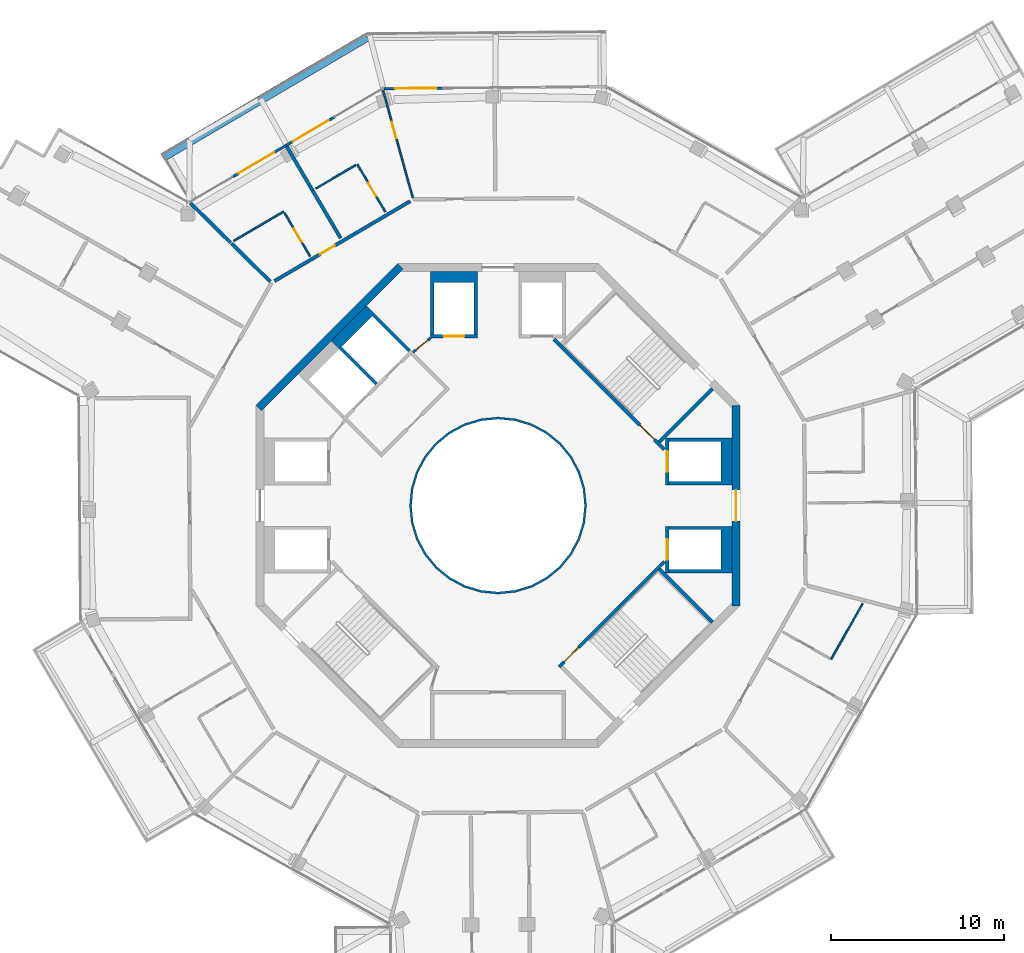
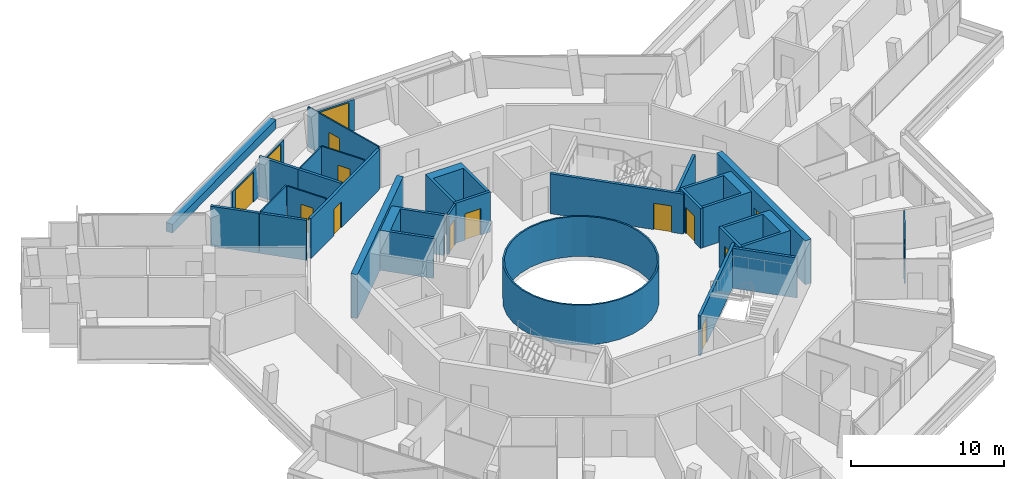
# One storey, part 21 of 26: 30 walls, 14 doors, 14 openings.
"""IFC4 building model written with IfcOpenShell, lengths in metres."""

from ifc_helpers import new_model, si_unit, direction, frame, frame_2d, origin, place, context, subcontext, project, spatial, polyline, rectangle, outline, extrude, material, layer, layer_set, type_object, element, fill, save


model = new_model("IFC4")

# Units and contexts
model_context = context("Model", 3, precision=1e-05, world=origin(), true_north=direction((0.0, 1.0)))
body_context = subcontext(model_context, "Body", "Model", "MODEL_VIEW")
ifc_project = project(units=[si_unit("LENGTHUNIT", "METRE"), si_unit("AREAUNIT", "SQUARE_METRE"), si_unit("VOLUMEUNIT", "CUBIC_METRE"), si_unit("PLANEANGLEUNIT", "RADIAN"), si_unit("MASSUNIT", "GRAM", prefix="KILO")], contexts=[model_context])

# Site, building, storey
site_placement = place(None, origin())
site = spatial("IfcSite", under=ifc_project, at=site_placement, CompositionType="ELEMENT")
building_placement = place(site_placement, origin())
building = spatial("IfcBuilding", under=site, at=building_placement, Name="Verdalira Terraces Hotel", CompositionType="ELEMENT")
storey_placement = place(building_placement, frame((0.0, 0.0, 281.0)))
storey = spatial("IfcBuildingStorey", under=building, at=storey_placement, Name="L69", CompositionType="ELEMENT", Elevation=281.0)

# Walls
ifc_material_1 = material(Name="Fire-resisting glass EI 180", Category="glass")
ifc_layer_1 = layer(ifc_material_1, 0.1201171875)
ifc_layer_set_1 = layer_set([ifc_layer_1], Name="Atrium fire screen 120 mm")
wall_type_1 = type_object("IfcWallType", Name="Atrium fire screen 120 mm", PredefinedType="SOLIDWALL", material=ifc_layer_set_1)
wall_1_placement = place(storey_placement, origin())
element("IfcWall", 1, at=wall_1_placement, inside=storey, type_object=wall_type_1, Name="Atrium fire screen", PredefinedType="SOLIDWALL", context=body_context, shape_type="SweptSolid", body=[
    extrude(outline(polyline([(5.021484, -0.998779), (4.730225, -1.959229), (4.25708, -2.844482), (3.620361, -3.620361), (2.844482, -4.25708), (1.959229, -4.730225), (0.998779, -5.021484), (0.0, -5.120117), (-0.998779, -5.021484), (-1.959229, -4.730225), (-2.844482, -4.25708), (-3.620361, -3.620361), (-4.25708, -2.844482), (-4.730225, -1.959229), (-5.021484, -0.998779), (-5.120117, 0.0), (-5.021484, 0.998779), (-4.730225, 1.959229), (-4.25708, 2.844482), (-3.620361, 3.620361), (-2.844482, 4.25708), (-1.959229, 4.730225), (-0.998779, 5.021484), (0.0, 5.120117), (0.998779, 5.021484), (1.959229, 4.730225), (2.844482, 4.25708), (3.620361, 3.620361), (4.25708, 2.844482), (4.730225, 1.959229), (5.021484, 0.998779), (5.120117, 0.0), (5.021484, -0.998779)]), holes=[polyline([(4.903809, 0.975586), (4.619385, 1.91333), (4.157227, 2.777832), (3.5354, 3.5354), (2.777832, 4.157227), (1.91333, 4.619385), (0.975586, 4.903809), (0.0, 5.0), (-0.975586, 4.903809), (-1.91333, 4.619385), (-2.777832, 4.157227), (-3.5354, 3.5354), (-4.157227, 2.777832), (-4.619385, 1.91333), (-4.903809, 0.975586), (-5.0, 0.0), (-4.903809, -0.975586), (-4.619385, -1.91333), (-4.157227, -2.777832), (-3.5354, -3.5354), (-2.777832, -4.157227), (-1.91333, -4.619385), (-0.975586, -4.903809), (0.0, -5.0), (0.975586, -4.903809), (1.91333, -4.619385), (2.777832, -4.157227), (3.5354, -3.5354), (4.157227, -2.777832), (4.619385, -1.91333), (4.903809, -0.975586), (5.0, 0.0), (4.903809, 0.975586)])]), origin(), (0.0, 0.0, 1.0), 3.189941),
])
ifc_material_2 = material(Name="Concrete C40", Category="concrete")
ifc_layer_2 = layer(ifc_material_2, 0.5)
ifc_layer_set_2 = layer_set([ifc_layer_2], Name="Balcony planter trough with tree")
wall_type_2 = type_object("IfcWallType", Name="Balcony planter trough with tree", PredefinedType="SOLIDWALL", material=ifc_layer_set_2)
wall_2_placement = place(storey_placement, frame((-7.575928, 27.112305, 0.0), z_axis=(0.0, 0.0, 1.0), x_axis=(-0.86180888, -0.507233136, 0.0)))
element("IfcWall", 2, at=wall_2_placement, inside=storey, type_object=wall_type_2, Name="Balcony planter", PredefinedType="SOLIDWALL", context=body_context, shape_type="SweptSolid", body=[
    extrude(rectangle(XDim=13.723389, YDim=0.5, at=frame_2d((6.861816, 0.0))), origin(), (0.0, 0.0, 1.0), 0.699951),
])
ifc_material_3 = material(Name="Moisture-resistant gypsum board partition")
ifc_layer_3 = layer(ifc_material_3, 0.10009765625)
ifc_layer_set_3 = layer_set([ifc_layer_3], Name="Bathroom partition 100 mm")
wall_type_3 = type_object("IfcWallType", Name="Bathroom partition 100 mm", PredefinedType="PARTITIONING", material=ifc_layer_set_3)
wall_3_placement = place(storey_placement, frame((-15.291992, 15.318604, 0.0), z_axis=(0.0, 0.0, 1.0), x_axis=(0.861789934, 0.507265325, 0.0)))
element("IfcWall", 3, at=wall_3_placement, inside=storey, type_object=wall_type_3, Name="Bathroom partition", PredefinedType="PARTITIONING", context=body_context, shape_type="SweptSolid", body=[
    extrude(rectangle(XDim=3.350342, YDim=0.100098, at=frame_2d((1.675293, 0.0))), origin(), (0.0, 0.0, 1.0), 3.189941),
])

# Wall, opening, door
wall_4_placement = place(storey_placement, frame((-10.883057, 14.432617, 0.0), z_axis=(0.0, 0.0, 1.0), x_axis=(-0.507222463, 0.861815162, 0.0)))
wall_4 = element("IfcWall", 4, at=wall_4_placement, inside=storey, type_object=wall_type_3, Name="Bathroom partition", PredefinedType="PARTITIONING", context=body_context, shape_type="SweptSolid", body=[
    extrude(rectangle(XDim=2.899902, YDim=0.100098, at=frame_2d((1.449951, 0.0))), origin(), (0.0, 0.0, 1.0), 3.189941),
])
opening_1_placement = place(wall_4_placement, frame((0.949951, 0.0, 0.0)))
opening_1 = element("IfcOpeningElement", 5, at=opening_1_placement, cuts=wall_4, Name="Opening L69-134", PredefinedType="OPENING", context=body_context, shape_type="SweptSolid", body=[
    extrude(rectangle(XDim=0.899902, YDim=2.100098, at=frame_2d((0.449951, 1.050049))), frame((0.0, 0.060059, 0.0), z_axis=(0.0, -1.0, 0.0), x_axis=(1.0, 0.0, 0.0)), (0.0, 0.0, 1.0), 0.120117),
])
ifc_material_4 = material(Name="Timber door", Category="wood")
door_type_1 = type_object("IfcDoorType", Name="Bathroom door 900 x 2100", OperationType="NOTDEFINED", PredefinedType="DOOR", material=ifc_material_4)
door_1_placement = place(opening_1_placement, origin())
door_1 = element("IfcDoor", 6, at=door_1_placement, inside=storey, type_object=door_type_1, Name="Bathroom door 6911", OperationType="SINGLE_SWING_RIGHT", OverallHeight=2.10009765625, OverallWidth=0.89990234375, PredefinedType="DOOR", context=body_context, shape_type="SweptSolid", body=[
    extrude(rectangle(XDim=0.899902, YDim=2.100098, at=frame_2d((0.449951, 1.050049))), frame((0.0, 0.024902, 0.0), z_axis=(0.0, -1.0, 0.0), x_axis=(1.0, 0.0, 0.0)), (0.0, 0.0, 1.0), 0.050049),
])
fill(opening_1, door_1)

# Wall
wall_5_placement = place(storey_placement, frame((-8.233154, 19.705322, 0.0), z_axis=(0.0, 0.0, 1.0), x_axis=(-0.861771448, -0.507296729, 0.0)))
element("IfcWall", 7, at=wall_5_placement, inside=storey, type_object=wall_type_3, Name="Bathroom partition", PredefinedType="PARTITIONING", context=body_context, shape_type="SweptSolid", body=[
    extrude(rectangle(XDim=2.699951, YDim=0.100098, at=frame_2d((1.350098, 0.0))), origin(), (0.0, 0.0, 1.0), 3.189941),
])

# Wall, opening, door
wall_6_placement = place(storey_placement, frame((-6.523682, 16.998291, 0.0), z_axis=(0.0, 0.0, 1.0), x_axis=(-0.507263495, 0.861791011, 0.0)))
wall_6 = element("IfcWall", 8, at=wall_6_placement, inside=storey, type_object=wall_type_3, Name="Bathroom partition", PredefinedType="PARTITIONING", context=body_context, shape_type="SweptSolid", body=[
    extrude(rectangle(XDim=3.200195, YDim=0.100098, at=frame_2d((1.600098, 0.0))), origin(), (0.0, 0.0, 1.0), 3.189941),
])
opening_2_placement = place(wall_6_placement, frame((1.050049, 0.0, 0.0)))
opening_2 = element("IfcOpeningElement", 9, at=opening_2_placement, cuts=wall_6, Name="Opening L69-132", PredefinedType="OPENING", context=body_context, shape_type="SweptSolid", body=[
    extrude(rectangle(XDim=0.899902, YDim=2.100098, at=frame_2d((0.449951, 1.050049))), frame((0.0, 0.060059, 0.0), z_axis=(0.0, -1.0, 0.0), x_axis=(1.0, 0.0, 0.0)), (0.0, 0.0, 1.0), 0.120117),
])
door_2_placement = place(opening_2_placement, origin())
door_2 = element("IfcDoor", 10, at=door_2_placement, inside=storey, type_object=door_type_1, Name="Bathroom door 6910", OperationType="SINGLE_SWING_RIGHT", OverallHeight=2.10009765625, OverallWidth=0.89990234375, PredefinedType="DOOR", context=body_context, shape_type="SweptSolid", body=[
    extrude(rectangle(XDim=0.899902, YDim=2.100098, at=frame_2d((0.449951, 1.050049))), frame((0.0, 0.024902, 0.0), z_axis=(0.0, -1.0, 0.0), x_axis=(1.0, 0.0, 0.0)), (0.0, 0.0, 1.0), 0.050049),
])
fill(opening_2, door_2)

wall_7_placement = place(storey_placement, frame((-4.93457, 17.817627, 0.0), z_axis=(0.0, 0.0, 1.0), x_axis=(-0.266914636, 0.963720176, 0.0)))
wall_7 = element("IfcWall", 11, at=wall_7_placement, inside=storey, type_object=wall_type_3, Name="Bathroom partition", PredefinedType="PARTITIONING", context=body_context, shape_type="SweptSolid", body=[
    extrude(rectangle(XDim=6.47583, YDim=0.100098, at=frame_2d((3.237793, 0.0))), origin(), (0.0, 0.0, 1.0), 3.189941),
])
opening_3_placement = place(wall_7_placement, frame((3.550049, 0.0, 0.0)))
opening_3 = element("IfcOpeningElement", 12, at=opening_3_placement, cuts=wall_7, Name="Opening L69-131", PredefinedType="OPENING", context=body_context, shape_type="SweptSolid", body=[
    extrude(rectangle(XDim=1.0, YDim=2.100098, at=frame_2d((0.5, 1.050049))), frame((0.0, 0.060059, 0.0), z_axis=(0.0, -1.0, 0.0), x_axis=(1.0, 0.0, 0.0)), (0.0, 0.0, 1.0), 0.120117),
])
ifc_material_5 = material(Name="Timber door", Category="wood")
door_type_2 = type_object("IfcDoorType", Name="Suite internal door 1000 x 2100", OperationType="NOTDEFINED", PredefinedType="DOOR", material=ifc_material_5)
door_3_placement = place(opening_3_placement, origin())
door_3 = element("IfcDoor", 13, at=door_3_placement, inside=storey, type_object=door_type_2, Name="Suite internal door 6910", OperationType="SINGLE_SWING_LEFT", OverallHeight=2.10009765625, OverallWidth=1.0, PredefinedType="DOOR", context=body_context, shape_type="SweptSolid", body=[
    extrude(rectangle(XDim=1.0, YDim=2.100098, at=frame_2d((0.5, 1.050049))), frame((0.0, 0.024902, 0.0), z_axis=(0.0, -1.0, 0.0), x_axis=(1.0, 0.0, 0.0)), (0.0, 0.0, 1.0), 0.050049),
])
fill(opening_3, door_3)

# Walls
wall_8_placement = place(storey_placement, frame((19.278076, -8.895264, 0.0), z_axis=(0.0, 0.0, 1.0), x_axis=(0.492706532, 0.870195537, 0.0)))
element("IfcWall", 14, at=wall_8_placement, inside=storey, type_object=wall_type_3, Name="Bathroom partition", PredefinedType="PARTITIONING", context=body_context, shape_type="SweptSolid", body=[
    extrude(rectangle(XDim=3.703857, YDim=0.100098, at=frame_2d((1.852051, 0.0))), origin(), (0.0, 0.0, 1.0), 3.189941),
])
ifc_material_6 = material(Name="Concrete C50", Category="concrete")
ifc_layer_4 = layer(ifc_material_6, 0.199951171875)
ifc_layer_set_4 = layer_set([ifc_layer_4], Name="Core RC wall 200 C50")
wall_type_4 = type_object("IfcWallType", Name="Core RC wall 200 C50", PredefinedType="SOLIDWALL", material=ifc_layer_set_4)
wall_9_placement = place(storey_placement, origin())
element("IfcWall", 15, at=wall_9_placement, inside=storey, type_object=wall_type_4, Name="L69 shaft wall E1", PredefinedType="SOLIDWALL", context=body_context, shape_type="SweptSolid", body=[
    extrude(outline(polyline([(13.550049, -3.899902), (9.899902, -3.899902), (9.899902, -3.699951), (12.899902, -3.699951), (12.899902, -1.399902), (9.899902, -1.399902), (9.899902, -1.199951), (13.550049, -1.199951), (13.550049, -3.899902)])), origin(), (0.0, 0.0, 1.0), 3.189941),
])

# Wall, opening, door
wall_10_placement = place(storey_placement, frame((9.800049, -1.199951, 0.0), z_axis=(0.0, 0.0, 1.0), x_axis=(0.0, -1.0, 0.0)))
wall_10 = element("IfcWall", 16, at=wall_10_placement, inside=storey, type_object=wall_type_4, Name="L69 shaft front wall E1", PredefinedType="SOLIDWALL", context=body_context, shape_type="SweptSolid", body=[
    extrude(rectangle(XDim=2.699951, YDim=0.199951, at=frame_2d((1.350098, 0.0))), origin(), (0.0, 0.0, 1.0), 3.189941),
])
opening_4_placement = place(wall_10_placement, frame((0.75, 0.0, 0.0)))
opening_4 = element("IfcOpeningElement", 17, at=opening_4_placement, cuts=wall_10, Name="Opening LD-L69-802", PredefinedType="OPENING", context=body_context, shape_type="SweptSolid", body=[
    extrude(rectangle(XDim=1.199951, YDim=2.100098, at=frame_2d((0.600098, 1.050049))), frame((0.0, 0.109863, 0.0), z_axis=(0.0, -1.0, 0.0), x_axis=(1.0, 0.0, 0.0)), (0.0, 0.0, 1.0), 0.219971),
])
ifc_material_7 = material(Name="Stainless steel", Category="steel")
door_type_3 = type_object("IfcDoorType", Name="Landing door 1200 x 2100", OperationType="NOTDEFINED", PredefinedType="DOOR", material=ifc_material_7)
door_4_placement = place(opening_4_placement, origin())
door_4 = element("IfcDoor", 18, at=door_4_placement, inside=storey, type_object=door_type_3, Name="Lift landing door HR1 L69", OperationType="DOUBLE_DOOR_SLIDING", OverallHeight=2.10009765625, OverallWidth=1.199951171875, PredefinedType="DOOR", context=body_context, shape_type="SweptSolid", body=[
    extrude(rectangle(XDim=1.199951, YDim=2.100098, at=frame_2d((0.600098, 1.050049))), frame((0.0, 0.024902, 0.0), z_axis=(0.0, -1.0, 0.0), x_axis=(1.0, 0.0, 0.0)), (0.0, 0.0, 1.0), 0.050049),
])
fill(opening_4, door_4)

# Wall
wall_11_placement = place(storey_placement, origin())
element("IfcWall", 19, at=wall_11_placement, inside=storey, type_object=wall_type_4, Name="L69 shaft wall E2", PredefinedType="SOLIDWALL", context=body_context, shape_type="SweptSolid", body=[
    extrude(outline(polyline([(13.550049, 3.899902), (13.550049, 1.199951), (9.899902, 1.199951), (9.899902, 1.399902), (12.899902, 1.399902), (12.899902, 3.699951), (9.899902, 3.699951), (9.899902, 3.899902), (13.550049, 3.899902)])), origin(), (0.0, 0.0, 1.0), 3.189941),
])

# Wall, opening, door
wall_12_placement = place(storey_placement, frame((9.800049, 1.199951, 0.0), z_axis=(0.0, 0.0, 1.0), x_axis=(0.0, 1.0, 0.0)))
wall_12 = element("IfcWall", 20, at=wall_12_placement, inside=storey, type_object=wall_type_4, Name="L69 shaft front wall E2", PredefinedType="SOLIDWALL", context=body_context, shape_type="SweptSolid", body=[
    extrude(rectangle(XDim=2.699951, YDim=0.199951, at=frame_2d((1.350098, 0.0))), origin(), (0.0, 0.0, 1.0), 3.189941),
])
opening_5_placement = place(wall_12_placement, frame((0.75, 0.0, 0.0)))
opening_5 = element("IfcOpeningElement", 21, at=opening_5_placement, cuts=wall_12, Name="Opening LD-L69-803", PredefinedType="OPENING", context=body_context, shape_type="SweptSolid", body=[
    extrude(rectangle(XDim=1.199951, YDim=2.100098, at=frame_2d((0.600098, 1.050049))), frame((0.0, 0.109863, 0.0), z_axis=(0.0, -1.0, 0.0), x_axis=(1.0, 0.0, 0.0)), (0.0, 0.0, 1.0), 0.219971),
])
door_5_placement = place(opening_5_placement, origin())
door_5 = element("IfcDoor", 22, at=door_5_placement, inside=storey, type_object=door_type_3, Name="Lift landing door HR2 L69", OperationType="DOUBLE_DOOR_SLIDING", OverallHeight=2.10009765625, OverallWidth=1.199951171875, PredefinedType="DOOR", context=body_context, shape_type="SweptSolid", body=[
    extrude(rectangle(XDim=1.199951, YDim=2.100098, at=frame_2d((0.600098, 1.050049))), frame((0.0, 0.024902, 0.0), z_axis=(0.0, -1.0, 0.0), x_axis=(1.0, 0.0, 0.0)), (0.0, 0.0, 1.0), 0.050049),
])
fill(opening_5, door_5)

# Wall
wall_13_placement = place(storey_placement, origin())
element("IfcWall", 23, at=wall_13_placement, inside=storey, type_object=wall_type_4, Name="L69 shaft wall N2", PredefinedType="SOLIDWALL", context=body_context, shape_type="SweptSolid", body=[
    extrude(outline(polyline([(-3.899902, 13.550049), (-1.199951, 13.550049), (-1.199951, 9.899902), (-1.399902, 9.899902), (-1.399902, 12.899902), (-3.699951, 12.899902), (-3.699951, 9.899902), (-3.899902, 9.899902), (-3.899902, 13.550049)])), origin(), (0.0, 0.0, 1.0), 3.189941),
])

# Wall, opening, door
wall_14_placement = place(storey_placement, frame((-1.199951, 9.800049, 0.0), z_axis=(0.0, 0.0, 1.0), x_axis=(-1.0, 0.0, 0.0)))
wall_14 = element("IfcWall", 24, at=wall_14_placement, inside=storey, type_object=wall_type_4, Name="L69 shaft front wall N2", PredefinedType="SOLIDWALL", context=body_context, shape_type="SweptSolid", body=[
    extrude(rectangle(XDim=2.699951, YDim=0.199951, at=frame_2d((1.350098, 0.0))), origin(), (0.0, 0.0, 1.0), 3.189941),
])
opening_6_placement = place(wall_14_placement, frame((0.75, 0.0, 0.0)))
opening_6 = element("IfcOpeningElement", 25, at=opening_6_placement, cuts=wall_14, Name="Opening LD-L69-805", PredefinedType="OPENING", context=body_context, shape_type="SweptSolid", body=[
    extrude(rectangle(XDim=1.199951, YDim=2.100098, at=frame_2d((0.600098, 1.050049))), frame((0.0, 0.109863, 0.0), z_axis=(0.0, -1.0, 0.0), x_axis=(1.0, 0.0, 0.0)), (0.0, 0.0, 1.0), 0.219971),
])
door_6_placement = place(opening_6_placement, origin())
door_6 = element("IfcDoor", 26, at=door_6_placement, inside=storey, type_object=door_type_3, Name="Lift landing door HR4 L69", OperationType="DOUBLE_DOOR_SLIDING", OverallHeight=2.10009765625, OverallWidth=1.199951171875, PredefinedType="DOOR", context=body_context, shape_type="SweptSolid", body=[
    extrude(rectangle(XDim=1.199951, YDim=2.100098, at=frame_2d((0.600098, 1.050049))), frame((0.0, 0.024902, 0.0), z_axis=(0.0, -1.0, 0.0), x_axis=(1.0, 0.0, 0.0)), (0.0, 0.0, 1.0), 0.050049),
])
fill(opening_6, door_6)

# Wall
wall_15_placement = place(storey_placement, origin())
element("IfcWall", 27, at=wall_15_placement, inside=storey, type_object=wall_type_4, Name="L69 shaft wall F1", PredefinedType="SOLIDWALL", context=body_context, shape_type="SweptSolid", body=[
    extrude(outline(polyline([(-9.6521, 9.510498), (-7.601318, 11.561279), (-5.055908, 9.015625), (-5.197266, 8.874268), (-7.283203, 10.960205), (-9.051025, 9.192383), (-6.965088, 7.106445), (-7.106445, 6.965088), (-9.6521, 9.510498)])), origin(), (0.0, 0.0, 1.0), 3.189941),
])

# Wall, opening, door
wall_16_placement = place(storey_placement, frame((3.23999, 9.629395, 0.0), z_axis=(0.0, 0.0, 1.0), x_axis=(0.707106781, -0.707106781, 0.0)))
wall_16 = element("IfcWall", 28, at=wall_16_placement, inside=storey, type_object=wall_type_4, Name="L69 stair ST1 front wall", PredefinedType="SOLIDWALL", context=body_context, shape_type="SweptSolid", body=[
    extrude(rectangle(XDim=9.035889, YDim=0.199951, at=frame_2d((4.518066, 0.0))), origin(), (0.0, 0.0, 1.0), 3.189941),
])
opening_7_placement = place(wall_16_placement, frame((7.017822, 0.0, 0.0)))
opening_7 = element("IfcOpeningElement", 29, at=opening_7_placement, cuts=wall_16, Name="Opening L69-810", PredefinedType="OPENING", context=body_context, shape_type="SweptSolid", body=[
    extrude(rectangle(XDim=1.199951, YDim=2.100098, at=frame_2d((0.600098, 1.050049))), frame((0.0, 0.109863, 0.0), z_axis=(0.0, -1.0, 0.0), x_axis=(1.0, 0.0, 0.0)), (0.0, 0.0, 1.0), 0.219971),
])
ifc_material_8 = material(Name="Steel fire door", Category="steel")
door_type_4 = type_object("IfcDoorType", Name="Stair door 1200 x 2100", OperationType="NOTDEFINED", PredefinedType="DOOR", material=ifc_material_8)
door_7_placement = place(opening_7_placement, origin())
door_7 = element("IfcDoor", 30, at=door_7_placement, inside=storey, type_object=door_type_4, Name="Stair door ST1 L69", OperationType="SINGLE_SWING_RIGHT", OverallHeight=2.10009765625, OverallWidth=1.199951171875, PredefinedType="DOOR", context=body_context, shape_type="SweptSolid", body=[
    extrude(rectangle(XDim=1.199951, YDim=2.100098, at=frame_2d((0.600098, 1.050049))), frame((0.0, 0.024902, 0.0), z_axis=(0.0, -1.0, 0.0), x_axis=(1.0, 0.0, 0.0)), (0.0, 0.0, 1.0), 0.050049),
])
fill(opening_7, door_7)

# Wall
wall_17_placement = place(storey_placement, frame((9.33374, 3.677002, 0.0), z_axis=(0.0, 0.0, 1.0), x_axis=(0.707106781, 0.707106781, 0.0)))
element("IfcWall", 31, at=wall_17_placement, inside=storey, type_object=wall_type_4, Name="L69 stair ST1 end wall 1", PredefinedType="SOLIDWALL", context=body_context, shape_type="SweptSolid", body=[
    extrude(rectangle(XDim=4.350098, YDim=0.199951, at=frame_2d((2.175049, 0.0))), origin(), (0.0, 0.0, 1.0), 3.189941),
])

# Wall, opening, door
wall_18_placement = place(storey_placement, frame((9.629395, -3.23999, 0.0), z_axis=(0.0, 0.0, 1.0), x_axis=(-0.707120946, -0.707092617, 0.0)))
wall_18 = element("IfcWall", 32, at=wall_18_placement, inside=storey, type_object=wall_type_4, Name="L69 stair ST3 front wall", PredefinedType="SOLIDWALL", context=body_context, shape_type="SweptSolid", body=[
    extrude(rectangle(XDim=8.61792, YDim=0.199951, at=frame_2d((4.309082, 0.0))), origin(), (0.0, 0.0, 1.0), 3.189941),
])
opening_8_placement = place(wall_18_placement, frame((7.017822, 0.0, 0.0)))
opening_8 = element("IfcOpeningElement", 33, at=opening_8_placement, cuts=wall_18, Name="Opening L69-812", PredefinedType="OPENING", context=body_context, shape_type="SweptSolid", body=[
    extrude(rectangle(XDim=1.199951, YDim=2.100098, at=frame_2d((0.600098, 1.050049))), frame((0.0, 0.109863, 0.0), z_axis=(0.0, -1.0, 0.0), x_axis=(1.0, 0.0, 0.0)), (0.0, 0.0, 1.0), 0.219971),
])
door_8_placement = place(opening_8_placement, origin())
door_8 = element("IfcDoor", 34, at=door_8_placement, inside=storey, type_object=door_type_4, Name="Stair door ST3 L69", OperationType="SINGLE_SWING_RIGHT", OverallHeight=2.10009765625, OverallWidth=1.199951171875, PredefinedType="DOOR", context=body_context, shape_type="SweptSolid", body=[
    extrude(rectangle(XDim=1.199951, YDim=2.100098, at=frame_2d((0.600098, 1.050049))), frame((0.0, 0.024902, 0.0), z_axis=(0.0, -1.0, 0.0), x_axis=(1.0, 0.0, 0.0)), (0.0, 0.0, 1.0), 0.050049),
])
fill(opening_8, door_8)

# Wall
wall_19_placement = place(storey_placement, frame((9.33374, -3.677002, 0.0), z_axis=(0.0, 0.0, 1.0), x_axis=(0.707106781, -0.707106781, 0.0)))
element("IfcWall", 35, at=wall_19_placement, inside=storey, type_object=wall_type_4, Name="L69 stair ST3 end wall 2", PredefinedType="SOLIDWALL", context=body_context, shape_type="SweptSolid", body=[
    extrude(rectangle(XDim=4.350098, YDim=0.199951, at=frame_2d((2.175049, 0.0))), origin(), (0.0, 0.0, 1.0), 3.189941),
])

# Wall, opening, door
ifc_material_9 = material(Name="Gypsum board partition")
ifc_layer_5 = layer(ifc_material_9, 0.14990234375)
ifc_layer_set_5 = layer_set([ifc_layer_5], Name="Core partition 150 mm")
wall_type_5 = type_object("IfcWallType", Name="Core partition 150 mm", PredefinedType="PARTITIONING", material=ifc_layer_set_5)
wall_20_placement = place(storey_placement, frame((-3.899902, 9.699951, 0.0), z_axis=(0.0, 0.0, 1.0), x_axis=(-0.775559878, -0.631274009, 0.0)))
wall_20 = element("IfcWall", 36, at=wall_20_placement, inside=storey, type_object=wall_type_5, Name="Room partition L69", PredefinedType="PARTITIONING", context=body_context, shape_type="SweptSolid", body=[
    extrude(rectangle(XDim=1.307861, YDim=0.149902, at=frame_2d((0.653809, 0.0))), origin(), (0.0, 0.0, 1.0), 3.189941),
])
opening_9_placement = place(wall_20_placement, frame((0.204102, 0.0, 0.0)))
opening_9 = element("IfcOpeningElement", 37, at=opening_9_placement, cuts=wall_20, Name="Opening L69-820", PredefinedType="OPENING", context=body_context, shape_type="SweptSolid", body=[
    extrude(rectangle(XDim=0.899902, YDim=2.100098, at=frame_2d((0.449951, 1.050049))), frame((0.0, 0.084961, 0.0), z_axis=(0.0, -1.0, 0.0), x_axis=(1.0, 0.0, 0.0)), (0.0, 0.0, 1.0), 0.169922),
])
ifc_material_10 = material(Name="Steel fire door", Category="steel")
door_type_5 = type_object("IfcDoorType", Name="Core room door 900 x 2100", OperationType="NOTDEFINED", PredefinedType="DOOR", material=ifc_material_10)
door_9_placement = place(opening_9_placement, origin())
door_9 = element("IfcDoor", 38, at=door_9_placement, inside=storey, type_object=door_type_5, Name="Door L69 room2", OperationType="SINGLE_SWING_LEFT", OverallHeight=2.10009765625, OverallWidth=0.89990234375, PredefinedType="DOOR", context=body_context, shape_type="SweptSolid", body=[
    extrude(rectangle(XDim=0.899902, YDim=2.100098, at=frame_2d((0.449951, 1.050049))), frame((0.0, 0.024902, 0.0), z_axis=(0.0, -1.0, 0.0), x_axis=(1.0, 0.0, 0.0)), (0.0, 0.0, 1.0), 0.050049),
])
fill(opening_9, door_9)

ifc_material_11 = material(Name="Concrete C50", Category="concrete")
ifc_layer_6 = layer(ifc_material_11, 0.449951171875)
ifc_layer_set_6 = layer_set([ifc_layer_6], Name="Core wall 450 C50")
wall_type_6 = type_object("IfcWallType", Name="Core wall 450 C50", PredefinedType="SHEAR", material=ifc_layer_set_6)
wall_21_placement = place(storey_placement, frame((13.774902, -5.799072, 0.0), z_axis=(0.0, 0.0, 1.0), x_axis=(0.0, 1.0, 0.0)))
wall_21 = element("IfcWall", 39, at=wall_21_placement, inside=storey, type_object=wall_type_6, Name="Core wall CW-L69-1", PredefinedType="SHEAR", context=body_context, shape_type="SweptSolid", body=[
    extrude(rectangle(XDim=11.598145, YDim=0.449951, at=frame_2d((5.799072, 0.0))), origin(), (0.0, 0.0, 1.0), 3.5),
])
opening_10_placement = place(wall_21_placement, frame((4.898926, 0.0, 0.0)))
opening_10 = element("IfcOpeningElement", 40, at=opening_10_placement, cuts=wall_21, Name="Opening L69-813", PredefinedType="OPENING", context=body_context, shape_type="SweptSolid", body=[
    extrude(rectangle(XDim=1.800049, YDim=2.100098, at=frame_2d((0.899902, 1.050049))), frame((0.0, 0.234863, 0.0), z_axis=(0.0, -1.0, 0.0), x_axis=(1.0, 0.0, 0.0)), (0.0, 0.0, 1.0), 0.469971),
])
ifc_material_12 = material(Name="Steel fire door", Category="steel")
door_type_6 = type_object("IfcDoorType", Name="Core entry door pair 1800 x 2100", OperationType="NOTDEFINED", PredefinedType="DOOR", material=ifc_material_12)
door_10_placement = place(opening_10_placement, origin())
door_10 = element("IfcDoor", 41, at=door_10_placement, inside=storey, type_object=door_type_6, Name="Core entry door L69 0", OperationType="DOUBLE_DOOR_SINGLE_SWING", OverallHeight=2.10009765625, OverallWidth=1.800048828125, PredefinedType="DOOR", context=body_context, shape_type="SweptSolid", body=[
    extrude(rectangle(XDim=1.800049, YDim=2.100098, at=frame_2d((0.899902, 1.050049))), frame((0.0, 0.024902, 0.0), z_axis=(0.0, -1.0, 0.0), x_axis=(1.0, 0.0, 0.0)), (0.0, 0.0, 1.0), 0.050049),
])
fill(opening_10, door_10)

# Walls
wall_22_placement = place(storey_placement, frame((-5.639893, 13.84082, 0.0), z_axis=(0.0, 0.0, 1.0), x_axis=(-0.707106781, -0.707106781, 0.0)))
element("IfcWall", 42, at=wall_22_placement, inside=storey, type_object=wall_type_6, Name="Core wall CW-L69-4", PredefinedType="SHEAR", context=body_context, shape_type="SweptSolid", body=[
    extrude(rectangle(XDim=11.5979, YDim=0.449951, at=frame_2d((5.798828, 0.0))), origin(), (0.0, 0.0, 1.0), 3.5),
])
ifc_material_13 = material(Name="Fire-rated gypsum board wall")
ifc_layer_7 = layer(ifc_material_13, 0.199951171875)
ifc_layer_set_7 = layer_set([ifc_layer_7], Name="Demising wall 200 mm")
wall_type_7 = type_object("IfcWallType", Name="Demising wall 200 mm", PredefinedType="SOLIDWALL", material=ifc_layer_set_7)
wall_23_placement = place(storey_placement, frame((-17.799561, 17.503906, 0.0), z_axis=(0.0, 0.0, 1.0), x_axis=(0.712982605, -0.70118172, 0.0)))
element("IfcWall", 43, at=wall_23_placement, inside=storey, type_object=wall_type_7, Name="Demising wall", PredefinedType="SOLIDWALL", context=body_context, shape_type="SweptSolid", body=[
    extrude(rectangle(XDim=3.268799, YDim=0.199951, at=frame_2d((1.634277, 0.0))), origin(), (0.0, 0.0, 1.0), 3.189941),
])
wall_24_placement = place(storey_placement, frame((-15.436279, 15.179688, 0.0), z_axis=(0.0, 0.0, 1.0), x_axis=(0.712990217, -0.70117398, 0.0)))
element("IfcWall", 44, at=wall_24_placement, inside=storey, type_object=wall_type_7, Name="Demising wall", PredefinedType="SOLIDWALL", context=body_context, shape_type="SweptSolid", body=[
    extrude(rectangle(XDim=3.161133, YDim=0.199951, at=frame_2d((1.580566, 0.0))), origin(), (0.0, 0.0, 1.0), 3.189941),
])
wall_25_placement = place(storey_placement, frame((-10.732422, 18.234375, 0.0), z_axis=(0.0, 0.0, 1.0), x_axis=(-0.50724797, 0.861800149, 0.0)))
element("IfcWall", 45, at=wall_25_placement, inside=storey, type_object=wall_type_7, Name="Demising wall", PredefinedType="SOLIDWALL", context=body_context, shape_type="SweptSolid", body=[
    extrude(rectangle(XDim=2.949951, YDim=0.199951, at=frame_2d((1.475098, 0.0))), origin(), (0.0, 0.0, 1.0), 3.189941),
])
wall_26_placement = place(storey_placement, frame((-9.109131, 15.476562, 0.0), z_axis=(0.0, 0.0, 1.0), x_axis=(-0.507263495, 0.861791011, 0.0)))
element("IfcWall", 46, at=wall_26_placement, inside=storey, type_object=wall_type_7, Name="Demising wall", PredefinedType="SOLIDWALL", context=body_context, shape_type="SweptSolid", body=[
    extrude(rectangle(XDim=3.200195, YDim=0.199951, at=frame_2d((1.600098, 0.0))), origin(), (0.0, 0.0, 1.0), 3.189941),
])

# Wall, opening, door
ifc_material_14 = material(Name="Fire-rated gypsum board wall")
ifc_layer_8 = layer(ifc_material_14, 0.199951171875)
ifc_layer_set_8 = layer_set([ifc_layer_8], Name="Guest corridor wall 200 mm")
wall_type_8 = type_object("IfcWallType", Name="Guest corridor wall 200 mm", PredefinedType="SOLIDWALL", material=ifc_layer_set_8)
wall_27_placement = place(storey_placement, frame((-12.936035, 12.992188, 0.0), z_axis=(0.0, 0.0, 1.0), x_axis=(0.861805451, 0.507238962, 0.0)))
wall_27 = element("IfcWall", 47, at=wall_27_placement, inside=storey, type_object=wall_type_8, Name="Guest corridor wall", PredefinedType="SOLIDWALL", context=body_context, shape_type="SweptSolid", body=[
    extrude(rectangle(XDim=9.116455, YDim=0.199951, at=frame_2d((4.558105, 0.0))), origin(), (0.0, 0.0, 1.0), 3.189941),
])
opening_11_placement = place(wall_27_placement, frame((3.050049, 0.0, 0.0)))
opening_11 = element("IfcOpeningElement", 48, at=opening_11_placement, cuts=wall_27, Name="Opening L69-133", PredefinedType="OPENING", context=body_context, shape_type="SweptSolid", body=[
    extrude(rectangle(XDim=1.0, YDim=2.100098, at=frame_2d((0.5, 1.050049))), frame((0.0, 0.109863, 0.0), z_axis=(0.0, -1.0, 0.0), x_axis=(1.0, 0.0, 0.0)), (0.0, 0.0, 1.0), 0.219971),
])
ifc_material_15 = material(Name="Timber fire door", Category="wood")
door_type_7 = type_object("IfcDoorType", Name="Guest entry door 1000 x 2100", OperationType="NOTDEFINED", PredefinedType="DOOR", material=ifc_material_15)
door_11_placement = place(opening_11_placement, origin())
door_11 = element("IfcDoor", 49, at=door_11_placement, inside=storey, type_object=door_type_7, Name="Guest entry door 6911", OperationType="SINGLE_SWING_RIGHT", OverallHeight=2.10009765625, OverallWidth=1.0, PredefinedType="DOOR", context=body_context, shape_type="SweptSolid", body=[
    extrude(rectangle(XDim=1.0, YDim=2.100098, at=frame_2d((0.5, 1.050049))), frame((0.0, 0.024902, 0.0), z_axis=(0.0, -1.0, 0.0), x_axis=(1.0, 0.0, 0.0)), (0.0, 0.0, 1.0), 0.050049),
])
fill(opening_11, door_11)

ifc_material_16 = material(Name="Terracotta cladding", Category="masonry")
ifc_layer_9 = layer(ifc_material_16, 0.14990234375)
ifc_layer_set_9 = layer_set([ifc_layer_9], Name="Terracotta door pier 150")
wall_type_9 = type_object("IfcWallType", Name="Terracotta door pier 150", PredefinedType="SOLIDWALL", material=ifc_layer_set_9)
wall_28_placement = place(storey_placement, frame((-3.175537, 24.157471, 0.0), z_axis=(0.0, 0.0, 1.0), x_axis=(-0.99996526, -0.008335419, 0.0)))
wall_28 = element("IfcWall", 50, at=wall_28_placement, inside=storey, type_object=wall_type_9, Name="Terracotta door pier", PredefinedType="SOLIDWALL", context=body_context, shape_type="SweptSolid", body=[
    extrude(rectangle(XDim=3.426758, YDim=0.149902, at=frame_2d((1.713379, 0.0))), origin(), (0.0, 0.0, 1.0), 2.524902),
])
opening_12_placement = place(wall_28_placement, frame((0.399902, 0.0, 0.0)))
opening_12 = element("IfcOpeningElement", 51, at=opening_12_placement, cuts=wall_28, Name="Opening L69-B15", PredefinedType="OPENING", context=body_context, shape_type="SweptSolid", body=[
    extrude(rectangle(XDim=2.399902, YDim=2.399902, at=frame_2d((1.199951, 1.199951))), frame((0.0, 0.084961, 0.0), z_axis=(0.0, -1.0, 0.0), x_axis=(1.0, 0.0, 0.0)), (0.0, 0.0, 1.0), 0.169922),
])
ifc_material_17 = material(Name="Clear glass", Category="glass")
door_type_8 = type_object("IfcDoorType", Name="Balcony sliding door 2400x2400", OperationType="NOTDEFINED", PredefinedType="DOOR", material=ifc_material_17)
door_12_placement = place(opening_12_placement, origin())
door_12 = element("IfcDoor", 52, at=door_12_placement, inside=storey, type_object=door_type_8, Name="Balcony sliding door", OperationType="SLIDING_TO_RIGHT", OverallHeight=2.39990234375, OverallWidth=2.39990234375, PredefinedType="DOOR", context=body_context, shape_type="SweptSolid", body=[
    extrude(rectangle(XDim=2.399902, YDim=2.399902, at=frame_2d((1.199951, 1.199951))), frame((0.0, 0.024902, 0.0), z_axis=(0.0, -1.0, 0.0), x_axis=(1.0, 0.0, 0.0)), (0.0, 0.0, 1.0), 0.050049),
])
fill(opening_12, door_12)

wall_29_placement = place(storey_placement, frame((-9.46582, 22.489746, 0.0), z_axis=(0.0, 0.0, 1.0), x_axis=(-0.861810594, -0.507230224, 0.0)))
wall_29 = element("IfcWall", 53, at=wall_29_placement, inside=storey, type_object=wall_type_9, Name="Terracotta door pier", PredefinedType="SOLIDWALL", context=body_context, shape_type="SweptSolid", body=[
    extrude(rectangle(XDim=3.25, YDim=0.149902, at=frame_2d((1.625, 0.0))), origin(), (0.0, 0.0, 1.0), 2.524902),
])
opening_13_placement = place(wall_29_placement, frame((0.399902, 0.0, 0.0)))
opening_13 = element("IfcOpeningElement", 54, at=opening_13_placement, cuts=wall_29, Name="Opening L69-B16", PredefinedType="OPENING", context=body_context, shape_type="SweptSolid", body=[
    extrude(rectangle(XDim=2.399902, YDim=2.399902, at=frame_2d((1.199951, 1.199951))), frame((0.0, 0.084961, 0.0), z_axis=(0.0, -1.0, 0.0), x_axis=(1.0, 0.0, 0.0)), (0.0, 0.0, 1.0), 0.169922),
])
door_13_placement = place(opening_13_placement, origin())
door_13 = element("IfcDoor", 55, at=door_13_placement, inside=storey, type_object=door_type_8, Name="Balcony sliding door", OperationType="SLIDING_TO_RIGHT", OverallHeight=2.39990234375, OverallWidth=2.39990234375, PredefinedType="DOOR", context=body_context, shape_type="SweptSolid", body=[
    extrude(rectangle(XDim=2.399902, YDim=2.399902, at=frame_2d((1.199951, 1.199951))), frame((0.0, 0.024902, 0.0), z_axis=(0.0, -1.0, 0.0), x_axis=(1.0, 0.0, 0.0)), (0.0, 0.0, 1.0), 0.050049),
])
fill(opening_13, door_13)

wall_30_placement = place(storey_placement, frame((-12.266602, 20.841309, 0.0), z_axis=(0.0, 0.0, 1.0), x_axis=(-0.8618108, -0.507229874, 0.0)))
wall_30 = element("IfcWall", 56, at=wall_30_placement, inside=storey, type_object=wall_type_9, Name="Terracotta door pier", PredefinedType="SOLIDWALL", context=body_context, shape_type="SweptSolid", body=[
    extrude(rectangle(XDim=3.611328, YDim=0.149902, at=frame_2d((1.805664, 0.0))), origin(), (0.0, 0.0, 1.0), 2.524902),
])
opening_14_placement = place(wall_30_placement, frame((0.811279, 0.0, 0.0)))
opening_14 = element("IfcOpeningElement", 57, at=opening_14_placement, cuts=wall_30, Name="Opening L69-B17", PredefinedType="OPENING", context=body_context, shape_type="SweptSolid", body=[
    extrude(rectangle(XDim=2.399902, YDim=2.399902, at=frame_2d((1.199951, 1.199951))), frame((0.0, 0.084961, 0.0), z_axis=(0.0, -1.0, 0.0), x_axis=(1.0, 0.0, 0.0)), (0.0, 0.0, 1.0), 0.169922),
])
door_14_placement = place(opening_14_placement, origin())
door_14 = element("IfcDoor", 58, at=door_14_placement, inside=storey, type_object=door_type_8, Name="Balcony sliding door", OperationType="SLIDING_TO_LEFT", OverallHeight=2.39990234375, OverallWidth=2.39990234375, PredefinedType="DOOR", context=body_context, shape_type="SweptSolid", body=[
    extrude(rectangle(XDim=2.399902, YDim=2.399902, at=frame_2d((1.199951, 1.199951))), frame((0.0, 0.024902, 0.0), z_axis=(0.0, -1.0, 0.0), x_axis=(1.0, 0.0, 0.0)), (0.0, 0.0, 1.0), 0.050049),
])
fill(opening_14, door_14)

save(model, "model.ifc")
